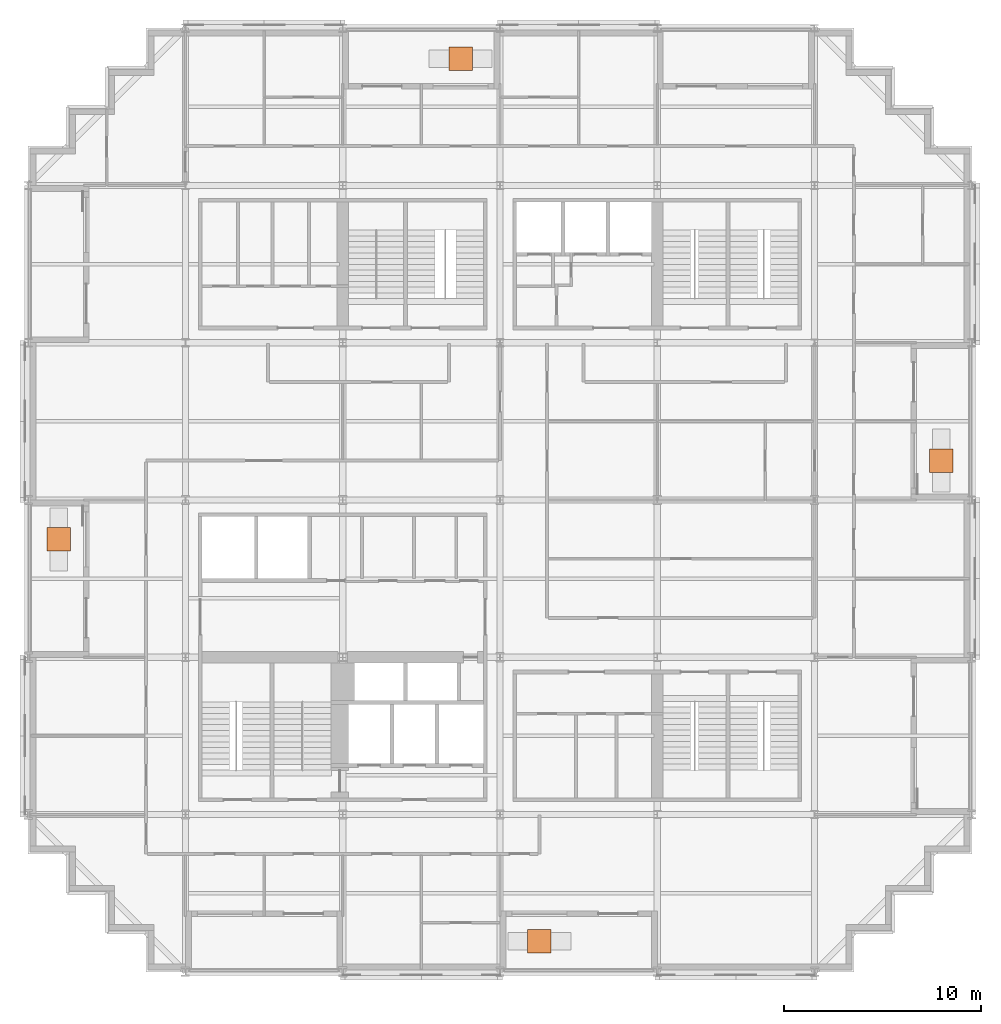
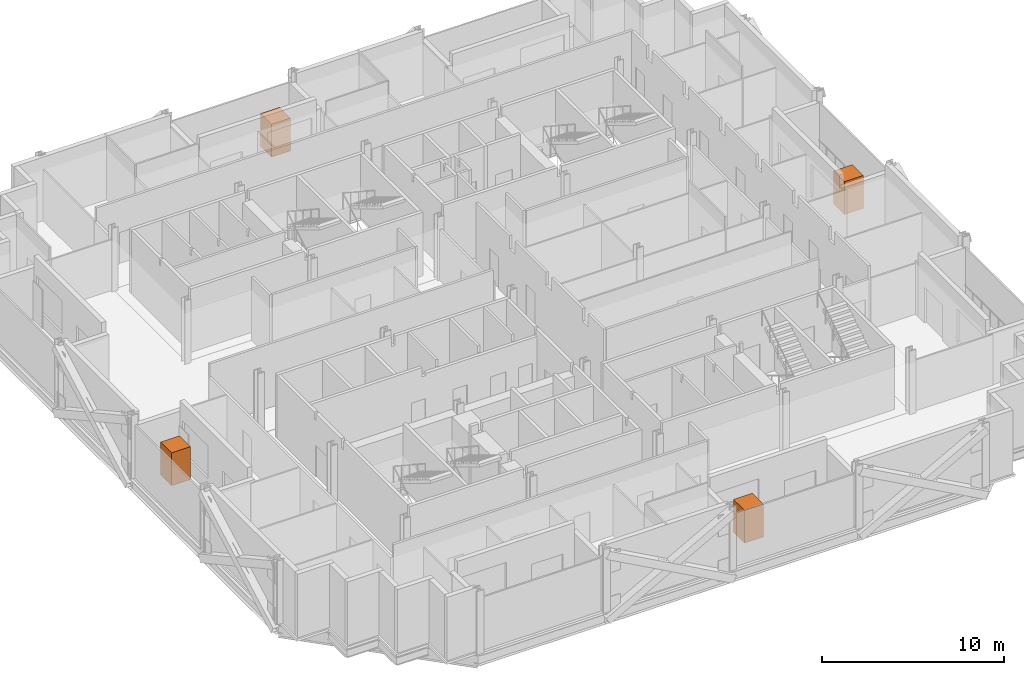
# One storey, part 15 of 15: 4 geographic elements.
"""IFC4 building model written with IfcOpenShell, lengths in metres."""

from ifc_helpers import new_model, si_unit, direction, frame, origin, origin_2d, place, context, subcontext, project, spatial, rectangle, extrude, material, type_object, element, save


model = new_model("IFC4")

# Units and contexts
model_context = context("Model", 3, precision=1e-05, world=origin(), true_north=direction((0.0, 1.0)))
body_context = subcontext(model_context, "Body", "Model", "MODEL_VIEW")
ifc_project = project(units=[si_unit("LENGTHUNIT", "METRE"), si_unit("AREAUNIT", "SQUARE_METRE"), si_unit("VOLUMEUNIT", "CUBIC_METRE"), si_unit("PLANEANGLEUNIT", "RADIAN"), si_unit("MASSUNIT", "GRAM", prefix="KILO")], contexts=[model_context])

# Site, building, storey
site_placement = place(None, origin())
site = spatial("IfcSite", under=ifc_project, at=site_placement, CompositionType="ELEMENT")
building_placement = place(site_placement, origin())
building = spatial("IfcBuilding", under=site, at=building_placement, Name="Immortelle Media Tower", CompositionType="ELEMENT")
storey_placement = place(building_placement, frame((0.0, 0.0, 61.199951171875)))
storey = spatial("IfcBuildingStorey", under=building, at=storey_placement, Name="L10", CompositionType="ELEMENT", Elevation=61.199951171875)

# Geographic elements
ifc_material = material(Name="Tree canopy foliage")
geographic_element_type = type_object("IfcGeographicElementType", Name="Tree", PredefinedType="USERDEFINED", material=ifc_material)
for number, where, z_axis, x_axis, name in (
    (1, (1.550048828125, 22.0, 0.60009765625), (0.0, 0.0, 1.0), (1.0, 0.0, 0.0), "Tree L10 W2"),
    (2, (26.0, 1.550048828125, 0.60009765625), (0.0, 0.0, 1.0), (1.0, 0.0, 0.0), "Tree L10 S2"),
    (3, (46.449951171875, 26.0, 0.60009765625), (0.0, 0.0, 1.0), (1.0, 0.0, 0.0), "Tree L10 E2"),
    (4, (22.0, 46.449951171875, 0.60009765625), (0.0, 0.0, 1.0), (1.0, 0.0, 0.0), "Tree L10 N2"),
):
    element("IfcGeographicElement", number, at=place(storey_placement, frame(where, z_axis=z_axis, x_axis=x_axis)), inside=storey, type_object=geographic_element_type, Name=name, ObjectType="Tree", PredefinedType="USERDEFINED", context=body_context, shape_type="SweptSolid", body=[
        extrude(rectangle(XDim=1.199951171875, YDim=1.199951171875, at=origin_2d()), origin(), (0.0, 0.0, 1.0), 2.199951171875),
    ])

save(model, "model.ifc")
